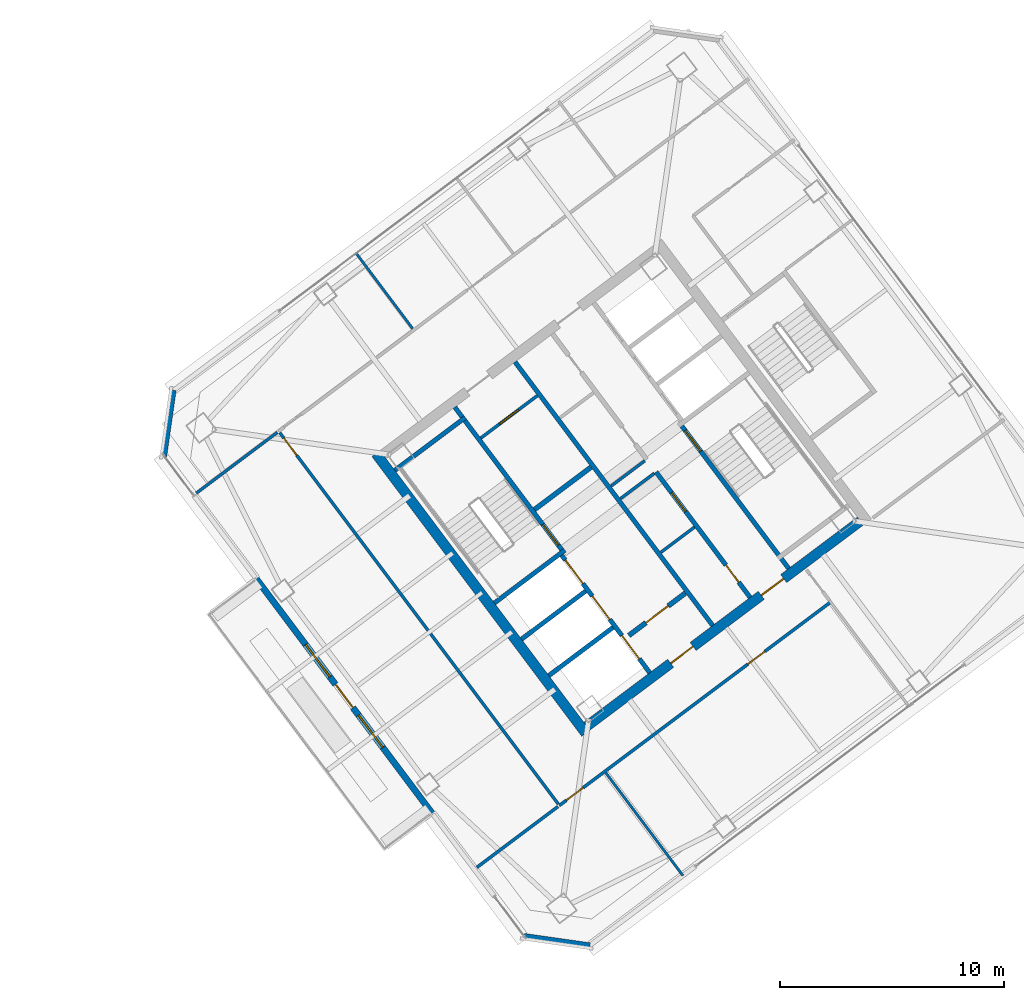
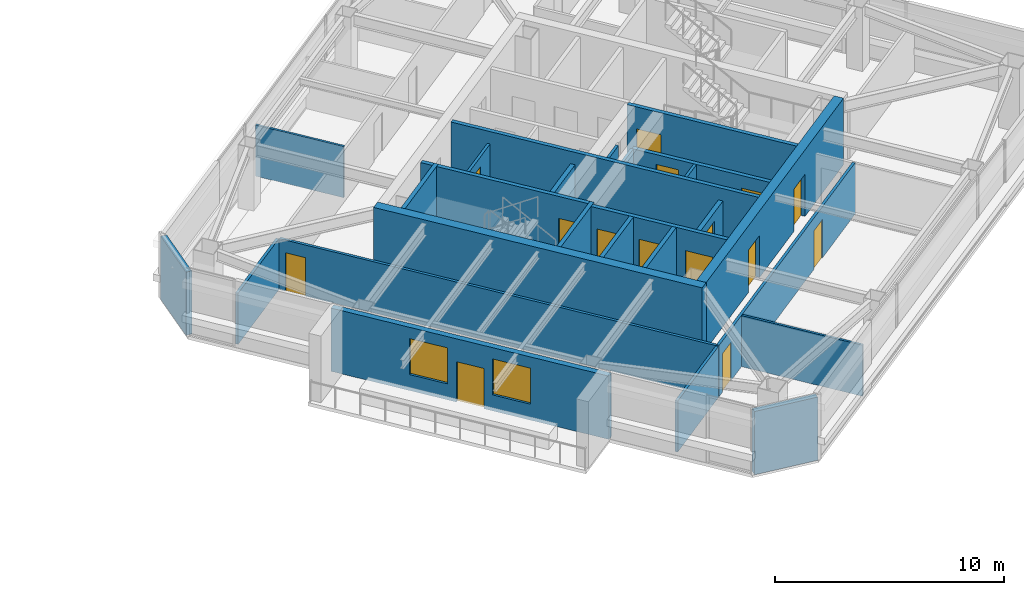
# One storey, part 31 of 40: 26 walls, 15 doors, 2 windows, 17 openings.
"""IFC4 building model written with IfcOpenShell, lengths in metres."""

from ifc_helpers import new_model, si_unit, direction, frame, frame_2d, origin, place, context, subcontext, project, spatial, rectangle, extrude, material, layer, layer_set, type_object, element, fill, save


model = new_model("IFC4")

# Units and contexts
model_context = context("Model", 3, precision=1e-05, world=origin(), true_north=direction((0.0, 1.0)))
body_context = subcontext(model_context, "Body", "Model", "MODEL_VIEW")
ifc_project = project(units=[si_unit("LENGTHUNIT", "METRE"), si_unit("AREAUNIT", "SQUARE_METRE"), si_unit("VOLUMEUNIT", "CUBIC_METRE"), si_unit("PLANEANGLEUNIT", "RADIAN"), si_unit("MASSUNIT", "GRAM", prefix="KILO")], contexts=[model_context])

# Site, building, storey
site_placement = place(None, origin())
site = spatial("IfcSite", under=ifc_project, at=site_placement, CompositionType="ELEMENT")
building_placement = place(site_placement, origin())
building = spatial("IfcBuilding", under=site, at=building_placement, Name="Tashvorn Skyway Center", CompositionType="ELEMENT")
storey_placement = place(building_placement, frame((0.0, 0.0, 221.949951171875)))
storey = spatial("IfcBuildingStorey", under=building, at=storey_placement, Name="L60", CompositionType="ELEMENT", Elevation=221.949951171875)

# Wall
ifc_material_1 = material(Name="Concrete C50/60", Category="concrete")
ifc_layer_1 = layer(ifc_material_1, 0.449951171875)
ifc_layer_set_1 = layer_set([ifc_layer_1], Name="Concrete C50/60")
wall_type_1 = type_object("IfcWallType", Name="WALL-CORE-450", PredefinedType="SHEAR", material=ifc_layer_set_1)
wall_1_placement = place(storey_placement, frame((112.39599609375, 21.047119140625, 0.0), z_axis=(0.0, 0.0, 1.0), x_axis=(-0.600005007985, 0.799996243986, 0.0)))
element("IfcWall", 1, at=wall_1_placement, inside=storey, type_object=wall_type_1, Name="Tower 2 L60 West Core Shear Wall", PredefinedType="SHEAR", context=body_context, shape_type="SweptSolid", body=[
    extrude(rectangle(XDim=15.60009765625, YDim=0.449951171875, at=frame_2d((7.800048828125, 0.0))), origin(), (0.0, 0.0, 1.0), 3.550048828125),
])

# Wall, openings, doors
wall_2_placement = place(storey_placement, frame((124.64892578125, 30.51806640625, 0.0), z_axis=(0.0, 0.0, 1.0), x_axis=(-0.8, -0.6, 0.0)))
wall_2 = element("IfcWall", 2, at=wall_2_placement, inside=storey, type_object=wall_type_1, Name="Tower 2 L60 South Core Shear Wall", PredefinedType="SHEAR", context=body_context, shape_type="SweptSolid", body=[
    extrude(rectangle(XDim=15.260009765625, YDim=0.449951171875, at=frame_2d((7.6298828125, 0.0))), origin(), (0.0, 0.0, 1.0), 3.550048828125),
])
opening_1_placement = place(wall_2_placement, frame((9.330078125, 0.0, 0.0)))
opening_1 = element("IfcOpeningElement", 3, at=opening_1_placement, cuts=wall_2, Name="Opening D-FFL-1250", PredefinedType="OPENING", context=body_context, shape_type="SweptSolid", body=[
    extrude(rectangle(XDim=1.25, YDim=2.25, at=frame_2d((0.625, 1.125))), frame((0.0, 0.23486328125, 0.0), z_axis=(0.0, -1.0, 0.0), x_axis=(1.0, 0.0, 0.0)), (0.0, 0.0, 1.0), 0.469970703125),
])
opening_2_placement = place(wall_2_placement, frame((4.280029296875, 0.0, 0.0)))
opening_2 = element("IfcOpeningElement", 4, at=opening_2_placement, cuts=wall_2, Name="Opening D-FFL-1250", PredefinedType="OPENING", context=body_context, shape_type="SweptSolid", body=[
    extrude(rectangle(XDim=1.25, YDim=2.25, at=frame_2d((0.625, 1.125))), frame((0.0, 0.23486328125, 0.0), z_axis=(0.0, -1.0, 0.0), x_axis=(1.0, 0.0, 0.0)), (0.0, 0.0, 1.0), 0.469970703125),
])
ifc_material_2 = material(Name="Hollow galvanized steel fire door assembly", Category="steel")
door_type_1 = type_object("IfcDoorType", Name="DOOR-FFL-1250", OperationType="NOTDEFINED", PredefinedType="DOOR", material=ifc_material_2)
door_1_placement = place(opening_1_placement, origin())
door_1 = element("IfcDoor", 5, at=door_1_placement, inside=storey, type_object=door_type_1, Name="Tower 2 L60 Core South Firefighting Exit Door", OperationType="SINGLE_SWING_LEFT", OverallHeight=2.25, OverallWidth=1.25, PredefinedType="DOOR", context=body_context, shape_type="SweptSolid", body=[
    extrude(rectangle(XDim=1.25, YDim=2.25, at=frame_2d((0.625, 1.125))), frame((0.0, 0.02490234375, 0.0), z_axis=(0.0, -1.0, 0.0), x_axis=(1.0, 0.0, 0.0)), (0.0, 0.0, 1.0), 0.050048828125),
])
fill(opening_1, door_1)
door_2_placement = place(opening_2_placement, origin())
door_2 = element("IfcDoor", 6, at=door_2_placement, inside=storey, type_object=door_type_1, Name="Tower 2 L60 Core South Lift Lobby Door", OperationType="SINGLE_SWING_RIGHT", OverallHeight=2.25, OverallWidth=1.25, PredefinedType="DOOR", context=body_context, shape_type="SweptSolid", body=[
    extrude(rectangle(XDim=1.25, YDim=2.25, at=frame_2d((0.625, 1.125))), frame((0.0, 0.02490234375, 0.0), z_axis=(0.0, -1.0, 0.0), x_axis=(1.0, 0.0, 0.0)), (0.0, 0.0, 1.0), 0.050048828125),
])
fill(opening_2, door_2)

# Wall, openings, door, windows
ifc_material_3 = material(Name="Precast concrete C40/50", Category="concrete")
ifc_layer_2 = layer(ifc_material_3, 0.280029296875)
ifc_layer_set_2 = layer_set([ifc_layer_2], Name="Precast concrete C40/50")
wall_type_2 = type_object("IfcWallType", Name="WALL-EXT-280", PredefinedType="SOLIDWALL", material=ifc_layer_set_2)
wall_3_placement = place(storey_placement, frame((105.575927734375, 17.431884765625, 0.0), z_axis=(0.0, 0.0, 1.0), x_axis=(-0.599994081423, 0.800004438899, 0.0)))
wall_3 = element("IfcWall", 7, at=wall_3_placement, inside=storey, type_object=wall_type_2, Name="Tower 2 L60 West Sky Garden Loggia Wall", PredefinedType="SOLIDWALL", context=body_context, shape_type="SweptSolid", body=[
    extrude(rectangle(XDim=13.199951171875, YDim=0.280029296875, at=frame_2d((6.60009765625, 0.0))), origin(), (0.0, 0.0, 1.0), 3.3701171875),
])
opening_3_placement = place(wall_3_placement, frame((5.949951171875, 0.0, 0.0)))
opening_3 = element("IfcOpeningElement", 8, at=opening_3_placement, cuts=wall_3, Name="Opening D-TER-1300", PredefinedType="OPENING", context=body_context, shape_type="SweptSolid", body=[
    extrude(rectangle(XDim=1.300048828125, YDim=2.14990234375, at=frame_2d((0.64990234375, 1.074951171875))), frame((0.0, 0.14990234375, 0.0), z_axis=(0.0, -1.0, 0.0), x_axis=(1.0, 0.0, 0.0)), (0.0, 0.0, 1.0), 0.300048828125),
])
opening_4_placement = place(wall_3_placement, frame((3.73193359375, 0.0, 0.85009765625)))
opening_4 = element("IfcOpeningElement", 9, at=opening_4_placement, cuts=wall_3, Name="Opening WIN-1800", PredefinedType="OPENING", context=body_context, shape_type="SweptSolid", body=[
    extrude(rectangle(XDim=1.800048828125, YDim=1.919921875, at=frame_2d((0.89990234375, 0.9599609375))), frame((0.0, 0.14990234375, 0.0), z_axis=(0.0, -1.0, 0.0), x_axis=(1.0, 0.0, 0.0)), (0.0, 0.0, 1.0), 0.300048828125),
])
opening_5_placement = place(wall_3_placement, frame((7.66796875, 0.0, 0.85009765625)))
opening_5 = element("IfcOpeningElement", 10, at=opening_5_placement, cuts=wall_3, Name="Opening WIN-1800", PredefinedType="OPENING", context=body_context, shape_type="SweptSolid", body=[
    extrude(rectangle(XDim=1.800048828125, YDim=1.919921875, at=frame_2d((0.89990234375, 0.9599609375))), frame((0.0, 0.14990234375, 0.0), z_axis=(0.0, -1.0, 0.0), x_axis=(1.0, 0.0, 0.0)), (0.0, 0.0, 1.0), 0.300048828125),
])
ifc_material_4 = material(Name="Thermally broken bronze-anodized aluminium 6063-T6", Category="aluminium")
door_type_2 = type_object("IfcDoorType", Name="DOOR-TERR-1300", OperationType="NOTDEFINED", PredefinedType="DOOR", material=ifc_material_4)
door_3_placement = place(opening_3_placement, origin())
door_3 = element("IfcDoor", 11, at=door_3_placement, inside=storey, type_object=door_type_2, Name="Tower 2 L60 Sky Garden Access Door", OperationType="SINGLE_SWING_LEFT", OverallHeight=2.14990234375, OverallWidth=1.300048828125, PredefinedType="DOOR", context=body_context, shape_type="SweptSolid", body=[
    extrude(rectangle(XDim=1.300048828125, YDim=2.14990234375, at=frame_2d((0.64990234375, 1.074951171875))), frame((0.0, 0.02490234375, 0.0), z_axis=(0.0, -1.0, 0.0), x_axis=(1.0, 0.0, 0.0)), (0.0, 0.0, 1.0), 0.050048828125),
])
fill(opening_3, door_3)
ifc_material_5 = material(Name="Low-E solar-control double insulating safety glass", Category="glass")
window_type = type_object("IfcWindowType", Name="WIN-TERR-1800", PartitioningType="SINGLE_PANEL", PredefinedType="WINDOW", material=ifc_material_5)
window_1_placement = place(opening_4_placement, origin())
window_1 = element("IfcWindow", 12, at=window_1_placement, inside=storey, type_object=window_type, Name="Tower 2 L60 Sky Garden Window", OverallHeight=1.919921875, OverallWidth=1.800048828125, PartitioningType="SINGLE_PANEL", PredefinedType="WINDOW", context=body_context, shape_type="SweptSolid", body=[
    extrude(rectangle(XDim=1.800048828125, YDim=1.919921875, at=frame_2d((0.89990234375, 0.9599609375))), frame((0.0, 0.030029296875, 0.0), z_axis=(0.0, -1.0, 0.0), x_axis=(1.0, 0.0, 0.0)), (0.0, 0.0, 1.0), 0.06005859375),
])
fill(opening_4, window_1)
window_2_placement = place(opening_5_placement, origin())
window_2 = element("IfcWindow", 13, at=window_2_placement, inside=storey, type_object=window_type, Name="Tower 2 L60 Sky Garden Second Window", OverallHeight=1.919921875, OverallWidth=1.800048828125, PartitioningType="SINGLE_PANEL", PredefinedType="WINDOW", context=body_context, shape_type="SweptSolid", body=[
    extrude(rectangle(XDim=1.800048828125, YDim=1.919921875, at=frame_2d((0.89990234375, 0.9599609375))), frame((0.0, 0.030029296875, 0.0), z_axis=(0.0, -1.0, 0.0), x_axis=(1.0, 0.0, 0.0)), (0.0, 0.0, 1.0), 0.06005859375),
])
fill(opening_5, window_2)

# Walls
for number, where, z_axis, x_axis, name in (
    (14, (112.580078125, 11.56005859375, 0.0), (0.0, 0.0, 1.0), (-0.989954425158, 0.14138683146, 0.0), "Tower 2 L60 SW Precast Chamfer Wall"),
    (15, (93.56005859375, 33.419921875, 0.0), (0.0, 0.0, 1.0), (0.14138683146, 0.989954425158, 0.0), "Tower 2 L60 NW Precast Chamfer Wall"),
):
    element("IfcWall", number, at=place(storey_placement, frame(where, z_axis=z_axis, x_axis=x_axis)), inside=storey, type_object=wall_type_2, Name=name, PredefinedType="SOLIDWALL", context=body_context, shape_type="SweptSolid", body=[
        extrude(rectangle(XDim=2.969970703125, YDim=0.280029296875, at=frame_2d((1.48486328125, 0.0))), origin(), (0.0, 0.0, 1.0), 3.3701171875),
    ])
ifc_material_6 = material(Name="Concrete C40/50", Category="concrete")
ifc_layer_3 = layer(ifc_material_6, 0.219970703125)
ifc_layer_set_3 = layer_set([ifc_layer_3], Name="Concrete C40/50")
wall_type_3 = type_object("IfcWallType", Name="WALL-FFL-220", PredefinedType="SOLIDWALL", material=ifc_layer_set_3)
wall_4_placement = place(storey_placement, frame((110.10400390625, 31.028076171875, 0.0), z_axis=(0.0, 0.0, 1.0), x_axis=(0.800018601094, 0.59997519774, 0.0)))
element("IfcWall", 16, at=wall_4_placement, inside=storey, type_object=wall_type_3, Name="Tower 2 L60 Firefighting Lobby North Wall", PredefinedType="SOLIDWALL", context=body_context, shape_type="SweptSolid", body=[
    extrude(rectangle(XDim=3.14990234375, YDim=0.219970703125, at=frame_2d((1.574951171875, 0.0))), origin(), (0.0, 0.0, 1.0), 2.72314453125),
])

# Wall, opening, door
wall_5_placement = place(storey_placement, frame((114.31591796875, 25.412109375, 0.0), z_axis=(0.0, 0.0, 1.0), x_axis=(0.800018601094, 0.59997519774, 0.0)))
wall_5 = element("IfcWall", 17, at=wall_5_placement, inside=storey, type_object=wall_type_3, Name="Tower 2 L60 Firefighting Lobby South Wall", PredefinedType="SOLIDWALL", context=body_context, shape_type="SweptSolid", body=[
    extrude(rectangle(XDim=3.14990234375, YDim=0.219970703125, at=frame_2d((1.574951171875, 0.0))), origin(), (0.0, 0.0, 1.0), 2.72314453125),
])
opening_6_placement = place(wall_5_placement, frame((0.949951171875, 0.0, 0.0)))
opening_6 = element("IfcOpeningElement", 18, at=opening_6_placement, cuts=wall_5, Name="Opening D-FFL-1250", PredefinedType="OPENING", context=body_context, shape_type="SweptSolid", body=[
    extrude(rectangle(XDim=1.25, YDim=2.25, at=frame_2d((0.625, 1.125))), frame((0.0, 0.119873046875, 0.0), z_axis=(0.0, -1.0, 0.0), x_axis=(1.0, 0.0, 0.0)), (0.0, 0.0, 1.0), 0.239990234375),
])
door_4_placement = place(opening_6_placement, origin())
door_4 = element("IfcDoor", 19, at=door_4_placement, inside=storey, type_object=door_type_1, Name="Tower 2 L60 Firefighting Lobby Egress Door", OperationType="SINGLE_SWING_LEFT", OverallHeight=2.25, OverallWidth=1.25, PredefinedType="DOOR", context=body_context, shape_type="SweptSolid", body=[
    extrude(rectangle(XDim=1.25, YDim=2.25, at=frame_2d((0.625, 1.125))), frame((0.0, 0.02490234375, 0.0), z_axis=(0.0, -1.0, 0.0), x_axis=(1.0, 0.0, 0.0)), (0.0, 0.0, 1.0), 0.050048828125),
])
fill(opening_6, door_4)

# Walls
ifc_material_7 = material(Name="Gypsum board on cold-formed steel stud framing", Category="steel")
ifc_layer_4 = layer(ifc_material_7, 0.110107421875)
ifc_layer_set_4 = layer_set([ifc_layer_4], Name="Gypsum board on cold-formed steel stud framing")
wall_type_4 = type_object("IfcWallType", Name="WALL-PART-110", PredefinedType="PARTITIONING", material=ifc_layer_set_4)
wall_6_placement = place(storey_placement, frame((104.672119140625, 39.10400390625, 0.0), z_axis=(0.0, 0.0, 1.0), x_axis=(-0.59999069958, 0.80000697523, 0.0)))
element("IfcWall", 20, at=wall_6_placement, inside=storey, type_object=wall_type_4, Name="Tower 2 L60 North Suite Partition 1", PredefinedType="PARTITIONING", context=body_context, shape_type="SweptSolid", body=[
    extrude(rectangle(XDim=4.2001953125, YDim=0.110107421875, at=frame_2d((2.10009765625, 0.0))), origin(), (0.0, 0.0, 1.0), 2.72314453125),
])
wall_7_placement = place(storey_placement, frame((116.72802734375, 14.696044921875, 0.0), z_axis=(0.0, 0.0, 1.0), x_axis=(-0.6, 0.8, 0.0)))
element("IfcWall", 21, at=wall_7_placement, inside=storey, type_object=wall_type_4, Name="Tower 2 L60 South Suite Partition 1", PredefinedType="PARTITIONING", context=body_context, shape_type="SweptSolid", body=[
    extrude(rectangle(XDim=5.72998046875, YDim=0.110107421875, at=frame_2d((2.864990234375, 0.0))), origin(), (0.0, 0.0, 1.0), 2.72314453125),
])

# Wall, openings, doors
ifc_layer_5 = layer(ifc_material_7, 0.135009765625)
ifc_layer_set_5 = layer_set([ifc_layer_5], Name="Gypsum board on cold-formed steel stud framing")
wall_type_5 = type_object("IfcWallType", Name="WALL-PART-135", PredefinedType="PARTITIONING", material=ifc_layer_set_5)
wall_8_placement = place(storey_placement, frame((123.322021484375, 26.904052734375, 0.0), z_axis=(0.0, 0.0, 1.0), x_axis=(-0.799996127317, -0.600005163543, 0.0)))
wall_8 = element("IfcWall", 22, at=wall_8_placement, inside=storey, type_object=wall_type_5, Name="Tower 2 L60 South Suite Wall", PredefinedType="PARTITIONING", context=body_context, shape_type="SweptSolid", body=[
    extrude(rectangle(XDim=15.130126953125, YDim=0.135009765625, at=frame_2d((7.56494140625, 0.0))), origin(), (0.0, 0.0, 1.0), 2.72314453125),
])
opening_7_placement = place(wall_8_placement, frame((13.800048828125, 0.0, 0.0)))
opening_7 = element("IfcOpeningElement", 23, at=opening_7_placement, cuts=wall_8, Name="Opening D-INT-950", PredefinedType="OPENING", context=body_context, shape_type="SweptSolid", body=[
    extrude(rectangle(XDim=0.949951171875, YDim=2.050048828125, at=frame_2d((0.47509765625, 1.02490234375))), frame((0.0, 0.077392578125, 0.0), z_axis=(0.0, -1.0, 0.0), x_axis=(1.0, 0.0, 0.0)), (0.0, 0.0, 1.0), 0.155029296875),
])
opening_8_placement = place(wall_8_placement, frame((3.67236328125, 0.0, 0.0)))
opening_8 = element("IfcOpeningElement", 24, at=opening_8_placement, cuts=wall_8, Name="Opening D-INT-950", PredefinedType="OPENING", context=body_context, shape_type="SweptSolid", body=[
    extrude(rectangle(XDim=0.949951171875, YDim=2.050048828125, at=frame_2d((0.47509765625, 1.02490234375))), frame((0.0, 0.077392578125, 0.0), z_axis=(0.0, -1.0, 0.0), x_axis=(1.0, 0.0, 0.0)), (0.0, 0.0, 1.0), 0.155029296875),
])
ifc_material_8 = material(Name="Solid-core architectural oak veneer door")
door_type_3 = type_object("IfcDoorType", Name="DOOR-INT-950", OperationType="NOTDEFINED", PredefinedType="DOOR", material=ifc_material_8)
door_5_placement = place(opening_7_placement, origin())
door_5 = element("IfcDoor", 25, at=door_5_placement, inside=storey, type_object=door_type_3, Name="Tower 2 L60 Research Library Door", OperationType="SINGLE_SWING_RIGHT", OverallHeight=2.050048828125, OverallWidth=0.949951171875, PredefinedType="DOOR", context=body_context, shape_type="SweptSolid", body=[
    extrude(rectangle(XDim=0.949951171875, YDim=2.050048828125, at=frame_2d((0.47509765625, 1.02490234375))), frame((0.0, 0.02490234375, 0.0), z_axis=(0.0, -1.0, 0.0), x_axis=(1.0, 0.0, 0.0)), (0.0, 0.0, 1.0), 0.050048828125),
])
fill(opening_7, door_5)
door_6_placement = place(opening_8_placement, origin())
door_6 = element("IfcDoor", 26, at=door_6_placement, inside=storey, type_object=door_type_3, Name="Tower 2 L60 Security Control Room Door", OperationType="SINGLE_SWING_LEFT", OverallHeight=2.050048828125, OverallWidth=0.949951171875, PredefinedType="DOOR", context=body_context, shape_type="SweptSolid", body=[
    extrude(rectangle(XDim=0.949951171875, YDim=2.050048828125, at=frame_2d((0.47509765625, 1.02490234375))), frame((0.0, 0.02490234375, 0.0), z_axis=(0.0, -1.0, 0.0), x_axis=(1.0, 0.0, 0.0)), (0.0, 0.0, 1.0), 0.050048828125),
])
fill(opening_8, door_6)

# Wall, opening, door
wall_9_placement = place(storey_placement, frame((111.169921875, 17.889892578125, 0.0), z_axis=(0.0, 0.0, 1.0), x_axis=(-0.599998113842, 0.800001414615, 0.0)))
wall_9 = element("IfcWall", 27, at=wall_9_placement, inside=storey, type_object=wall_type_5, Name="Tower 2 L60 West Inner Suite Wall", PredefinedType="PARTITIONING", context=body_context, shape_type="SweptSolid", body=[
    extrude(rectangle(XDim=20.710205078125, YDim=0.135009765625, at=frame_2d((10.35498046875, 0.0))), origin(), (0.0, 0.0, 1.0), 2.72314453125),
])
opening_9_placement = place(wall_9_placement, frame((19.4599609375, 0.0, 0.0)))
opening_9 = element("IfcOpeningElement", 28, at=opening_9_placement, cuts=wall_9, Name="Opening D-INT-950", PredefinedType="OPENING", context=body_context, shape_type="SweptSolid", body=[
    extrude(rectangle(XDim=0.949951171875, YDim=2.050048828125, at=frame_2d((0.47509765625, 1.02490234375))), frame((0.0, 0.077392578125, 0.0), z_axis=(0.0, -1.0, 0.0), x_axis=(1.0, 0.0, 0.0)), (0.0, 0.0, 1.0), 0.155029296875),
])
door_7_placement = place(opening_9_placement, origin())
door_7 = element("IfcDoor", 29, at=door_7_placement, inside=storey, type_object=door_type_3, Name="Tower 2 L60 Public Restroom Door", OperationType="SINGLE_SWING_LEFT", OverallHeight=2.050048828125, OverallWidth=0.949951171875, PredefinedType="DOOR", context=body_context, shape_type="SweptSolid", body=[
    extrude(rectangle(XDim=0.949951171875, YDim=2.050048828125, at=frame_2d((0.47509765625, 1.02490234375))), frame((0.0, 0.02490234375, 0.0), z_axis=(0.0, -1.0, 0.0), x_axis=(1.0, 0.0, 0.0)), (0.0, 0.0, 1.0), 0.050048828125),
])
fill(opening_9, door_7)

# Walls
for number, where, z_axis, x_axis, name in (
    (30, (98.632080078125, 34.47412109375, 0.0), (0.0, 0.0, 1.0), (-0.799980555045, -0.600025925731, 0.0), "Tower 2 L60 West Suite North Wall"),
    (31, (107.5380859375, 15.06591796875, 0.0), (0.0, 0.0, 1.0), (0.799980555045, 0.600025925731, 0.0), "Tower 2 L60 West Suite South Wall"),
):
    element("IfcWall", number, at=place(storey_placement, frame(where, z_axis=z_axis, x_axis=x_axis)), inside=storey, type_object=wall_type_5, Name=name, PredefinedType="PARTITIONING", context=body_context, shape_type="SweptSolid", body=[
        extrude(rectangle(XDim=4.52001953125, YDim=0.135009765625, at=frame_2d((2.260009765625, 0.0))), origin(), (0.0, 0.0, 1.0), 2.72314453125),
    ])

# Wall, opening, door
ifc_layer_6 = layer(ifc_material_7, 0.135009765625)
ifc_layer_set_6 = layer_set([ifc_layer_6], Name="Gypsum board on cold-formed steel stud framing")
wall_type_6 = type_object("IfcWallType", Name="WALL-RATED-135", PredefinedType="PARTITIONING", material=ifc_layer_set_6)
wall_10_placement = place(storey_placement, frame((107.7099609375, 34.219970703125, 0.0), z_axis=(0.0, 0.0, 1.0), x_axis=(0.799981399002, 0.60002480053, 0.0)))
wall_10 = element("IfcWall", 32, at=wall_10_placement, inside=storey, type_object=wall_type_6, Name="Tower 2 L60 Core Service Lobby Wall", PredefinedType="PARTITIONING", context=body_context, shape_type="SweptSolid", body=[
    extrude(rectangle(XDim=3.150146484375, YDim=0.135009765625, at=frame_2d((1.5751953125, 0.0))), origin(), (0.0, 0.0, 1.0), 2.72314453125),
])
opening_10_placement = place(wall_10_placement, frame((1.050048828125, 0.0, 0.0)))
opening_10 = element("IfcOpeningElement", 33, at=opening_10_placement, cuts=wall_10, Name="Opening D-RT-1050", PredefinedType="OPENING", context=body_context, shape_type="SweptSolid", body=[
    extrude(rectangle(XDim=1.050048828125, YDim=2.199951171875, at=frame_2d((0.52490234375, 1.10009765625))), frame((0.0, 0.077392578125, 0.0), z_axis=(0.0, -1.0, 0.0), x_axis=(1.0, 0.0, 0.0)), (0.0, 0.0, 1.0), 0.155029296875),
])
door_type_4 = type_object("IfcDoorType", Name="DOOR-RATED-1050", OperationType="NOTDEFINED", PredefinedType="DOOR", material=ifc_material_2)
door_8_placement = place(opening_10_placement, origin())
door_8 = element("IfcDoor", 34, at=door_8_placement, inside=storey, type_object=door_type_4, Name="Tower 2 L60 Core Accessible WC Door", OperationType="SINGLE_SWING_LEFT", OverallHeight=2.199951171875, OverallWidth=1.050048828125, PredefinedType="DOOR", context=body_context, shape_type="SweptSolid", body=[
    extrude(rectangle(XDim=1.050048828125, YDim=2.199951171875, at=frame_2d((0.52490234375, 1.10009765625))), frame((0.0, 0.02490234375, 0.0), z_axis=(0.0, -1.0, 0.0), x_axis=(1.0, 0.0, 0.0)), (0.0, 0.0, 1.0), 0.050048828125),
])
fill(opening_10, door_8)

# Walls
for number, where, z_axis, x_axis, name in (
    (35, (113.946044921875, 31.52197265625, 0.0), (0.0, 0.0, 1.0), (0.8, 0.6, 0.0), "Tower 2 L60 Core Room Partition"),
    (36, (115.74609375, 29.1220703125, 0.0), (0.0, 0.0, 1.0), (0.8, 0.6, 0.0), "Tower 2 L60 Freed Core Partition"),
):
    element("IfcWall", number, at=place(storey_placement, frame(where, z_axis=z_axis, x_axis=x_axis)), inside=storey, type_object=wall_type_6, Name=name, PredefinedType="PARTITIONING", context=body_context, shape_type="SweptSolid", body=[
        extrude(rectangle(XDim=1.8798828125, YDim=0.135009765625, at=frame_2d((0.93994140625, 0.0))), origin(), (0.0, 0.0, 1.0), 2.72314453125),
    ])
wall_11_placement = place(storey_placement, frame((113.52587890625, 32.08203125, 0.0), z_axis=(0.0, 0.0, 1.0), x_axis=(0.800046745961, 0.599937666993, 0.0)))
element("IfcWall", 37, at=wall_11_placement, inside=storey, type_object=wall_type_6, Name="Tower 2 L60 Core Room Partition", PredefinedType="PARTITIONING", context=body_context, shape_type="SweptSolid", body=[
    extrude(rectangle(XDim=1.880126953125, YDim=0.135009765625, at=frame_2d((0.93994140625, 0.0))), origin(), (0.0, 0.0, 1.0), 2.72314453125),
])
ifc_layer_7 = layer(ifc_material_6, 0.199951171875)
ifc_layer_set_7 = layer_set([ifc_layer_7], Name="Concrete C40/50")
wall_type_7 = type_object("IfcWallType", Name="WALL-SHAFT-200", PredefinedType="SOLIDWALL", material=ifc_layer_set_7)
for number, where, z_axis, x_axis, name in (
    (38, (110.74609375, 23.6220703125, 0.0), (0.0, 0.0, 1.0), (0.800008183455, 0.599989088572, 0.0), "Tower 2 L60 FSAE Shaft Divider"),
    (39, (109.528076171875, 25.24609375, 0.0), (0.0, 0.0, 1.0), (0.800008183455, 0.599989088572, 0.0), "Tower 2 L60 FSAE Shaft Divider"),
):
    element("IfcWall", number, at=place(storey_placement, frame(where, z_axis=z_axis, x_axis=x_axis)), inside=storey, type_object=wall_type_7, Name=name, PredefinedType="SOLIDWALL", context=body_context, shape_type="SweptSolid", body=[
        extrude(rectangle(XDim=3.580078125, YDim=0.199951171875, at=frame_2d((1.7900390625, 0.0))), origin(), (0.0, 0.0, 1.0), 3.3701171875),
    ])

# Wall, openings, doors
wall_12_placement = place(storey_placement, frame((119.72998046875, 27.110107421875, 0.0), z_axis=(0.0, 0.0, 1.0), x_axis=(-0.600005580459, 0.799995814625, 0.0)))
wall_12 = element("IfcWall", 40, at=wall_12_placement, inside=storey, type_object=wall_type_7, Name="Tower 2 L60 Low-Rise Core Wall", PredefinedType="SOLIDWALL", context=body_context, shape_type="SweptSolid", body=[
    extrude(rectangle(XDim=6.999755859375, YDim=0.199951171875, at=frame_2d((3.5, 0.0))), origin(), (0.0, 0.0, 1.0), 2.72314453125),
])
opening_11_placement = place(wall_12_placement, frame((0.85009765625, 0.0, 0.0)))
opening_11 = element("IfcOpeningElement", 41, at=opening_11_placement, cuts=wall_12, Name="Opening D-RT-950", PredefinedType="OPENING", context=body_context, shape_type="SweptSolid", body=[
    extrude(rectangle(XDim=0.949951171875, YDim=2.050048828125, at=frame_2d((0.47509765625, 1.02490234375))), frame((0.0, 0.10986328125, 0.0), z_axis=(0.0, -1.0, 0.0), x_axis=(1.0, 0.0, 0.0)), (0.0, 0.0, 1.0), 0.219970703125),
])
opening_12_placement = place(wall_12_placement, frame((4.800048828125, 0.0, 0.0)))
opening_12 = element("IfcOpeningElement", 42, at=opening_12_placement, cuts=wall_12, Name="Opening D-RT-1050", PredefinedType="OPENING", context=body_context, shape_type="SweptSolid", body=[
    extrude(rectangle(XDim=1.050048828125, YDim=2.199951171875, at=frame_2d((0.52490234375, 1.10009765625))), frame((0.0, 0.10986328125, 0.0), z_axis=(0.0, -1.0, 0.0), x_axis=(1.0, 0.0, 0.0)), (0.0, 0.0, 1.0), 0.219970703125),
])
door_9_placement = place(opening_12_placement, origin())
door_9 = element("IfcDoor", 43, at=door_9_placement, inside=storey, type_object=door_type_4, Name="Tower 2 L60 Freed Core Room Door", OperationType="SINGLE_SWING_RIGHT", OverallHeight=2.199951171875, OverallWidth=1.050048828125, PredefinedType="DOOR", context=body_context, shape_type="SweptSolid", body=[
    extrude(rectangle(XDim=1.050048828125, YDim=2.199951171875, at=frame_2d((0.52490234375, 1.10009765625))), frame((0.0, 0.02490234375, 0.0), z_axis=(0.0, -1.0, 0.0), x_axis=(1.0, 0.0, 0.0)), (0.0, 0.0, 1.0), 0.050048828125),
])
fill(opening_12, door_9)
door_type_5 = type_object("IfcDoorType", Name="DOOR-RATED-950", OperationType="NOTDEFINED", PredefinedType="DOOR", material=ifc_material_2)
door_10_placement = place(opening_11_placement, origin())
door_10 = element("IfcDoor", 44, at=door_10_placement, inside=storey, type_object=door_type_5, Name="Tower 2 L60 Core Print Room Door", OperationType="SINGLE_SWING_LEFT", OverallHeight=2.050048828125, OverallWidth=0.949951171875, PredefinedType="DOOR", context=body_context, shape_type="SweptSolid", body=[
    extrude(rectangle(XDim=0.949951171875, YDim=2.050048828125, at=frame_2d((0.47509765625, 1.02490234375))), frame((0.0, 0.02490234375, 0.0), z_axis=(0.0, -1.0, 0.0), x_axis=(1.0, 0.0, 0.0)), (0.0, 0.0, 1.0), 0.050048828125),
])
fill(opening_11, door_10)

# Wall, opening, door
ifc_layer_8 = layer(ifc_material_6, 0.199951171875)
ifc_layer_set_8 = layer_set([ifc_layer_8], Name="Concrete C40/50")
wall_type_8 = type_object("IfcWallType", Name="WALL-STSHF-200", PredefinedType="SHEAR", material=ifc_layer_set_8)
wall_13_placement = place(storey_placement, frame((111.43994140625, 29.080078125, 0.0), z_axis=(0.0, 0.0, 1.0), x_axis=(-0.59999041401, 0.800007189403, 0.0)))
wall_13 = element("IfcWall", 45, at=wall_13_placement, inside=storey, type_object=wall_type_8, Name="Tower 2 L60 Stair 1 Enclosure Wall", PredefinedType="SHEAR", context=body_context, shape_type="SweptSolid", body=[
    extrude(rectangle(XDim=8.14990234375, YDim=0.199951171875, at=frame_2d((4.074951171875, 0.0))), origin(), (0.0, 0.0, 1.0), 3.3701171875),
])
opening_13_placement = place(wall_13_placement, frame((0.449951171875, 0.0, 0.0)))
opening_13 = element("IfcOpeningElement", 46, at=opening_13_placement, cuts=wall_13, Name="Opening D-ST-1150", PredefinedType="OPENING", context=body_context, shape_type="SweptSolid", body=[
    extrude(rectangle(XDim=1.14990234375, YDim=2.199951171875, at=frame_2d((0.574951171875, 1.10009765625))), frame((0.0, 0.10986328125, 0.0), z_axis=(0.0, -1.0, 0.0), x_axis=(1.0, 0.0, 0.0)), (0.0, 0.0, 1.0), 0.219970703125),
])
door_type_6 = type_object("IfcDoorType", Name="DOOR-STAIR-1150", OperationType="NOTDEFINED", PredefinedType="DOOR", material=ifc_material_2)
door_11_placement = place(opening_13_placement, origin())
door_11 = element("IfcDoor", 47, at=door_11_placement, inside=storey, type_object=door_type_6, Name="Tower 2 L60 Exit Stair 1 Door", OperationType="SINGLE_SWING_RIGHT", OverallHeight=2.199951171875, OverallWidth=1.14990234375, PredefinedType="DOOR", context=body_context, shape_type="SweptSolid", body=[
    extrude(rectangle(XDim=1.14990234375, YDim=2.199951171875, at=frame_2d((0.574951171875, 1.10009765625))), frame((0.0, 0.02490234375, 0.0), z_axis=(0.0, -1.0, 0.0), x_axis=(1.0, 0.0, 0.0)), (0.0, 0.0, 1.0), 0.050048828125),
])
fill(opening_13, door_11)

# Walls
for number, where, z_axis, x_axis, name in (
    (48, (108.31591796875, 26.862060546875, 0.0), (0.0, 0.0, 1.0), (0.800014909178, 0.599980120581, 0.0), "Tower 2 L60 Stair 1 South Wall"),
    (49, (103.8759765625, 32.781982421875, 0.0), (0.0, 0.0, 1.0), (0.800014909178, 0.599980120581, 0.0), "Tower 2 L60 Stair 1 North Wall"),
):
    element("IfcWall", number, at=place(storey_placement, frame(where, z_axis=z_axis, x_axis=x_axis)), inside=storey, type_object=wall_type_8, Name=name, PredefinedType="SHEAR", context=body_context, shape_type="SweptSolid", body=[
        extrude(rectangle(XDim=3.929931640625, YDim=0.199951171875, at=frame_2d((1.96484375, 0.0))), origin(), (0.0, 0.0, 1.0), 3.3701171875),
    ])

# Wall, opening, door
wall_14_placement = place(storey_placement, frame((116.56005859375, 34.919921875, 0.0), z_axis=(0.0, 0.0, 1.0), x_axis=(0.59999041401, -0.800007189403, 0.0)))
wall_14 = element("IfcWall", 50, at=wall_14_placement, inside=storey, type_object=wall_type_8, Name="Tower 2 L60 Stair 2 Enclosure Wall", PredefinedType="SHEAR", context=body_context, shape_type="SweptSolid", body=[
    extrude(rectangle(XDim=8.14990234375, YDim=0.199951171875, at=frame_2d((4.074951171875, 0.0))), origin(), (0.0, 0.0, 1.0), 3.3701171875),
])
opening_14_placement = place(wall_14_placement, frame((0.449951171875, 0.0, 0.0)))
opening_14 = element("IfcOpeningElement", 51, at=opening_14_placement, cuts=wall_14, Name="Opening D-ST-1150", PredefinedType="OPENING", context=body_context, shape_type="SweptSolid", body=[
    extrude(rectangle(XDim=1.14990234375, YDim=2.199951171875, at=frame_2d((0.574951171875, 1.10009765625))), frame((0.0, 0.10986328125, 0.0), z_axis=(0.0, -1.0, 0.0), x_axis=(1.0, 0.0, 0.0)), (0.0, 0.0, 1.0), 0.219970703125),
])
door_12_placement = place(opening_14_placement, origin())
door_12 = element("IfcDoor", 52, at=door_12_placement, inside=storey, type_object=door_type_6, Name="Tower 2 L60 Exit Stair 2 Door", OperationType="SINGLE_SWING_RIGHT", OverallHeight=2.199951171875, OverallWidth=1.14990234375, PredefinedType="DOOR", context=body_context, shape_type="SweptSolid", body=[
    extrude(rectangle(XDim=1.14990234375, YDim=2.199951171875, at=frame_2d((0.574951171875, 1.10009765625))), frame((0.0, 0.02490234375, 0.0), z_axis=(0.0, -1.0, 0.0), x_axis=(1.0, 0.0, 0.0)), (0.0, 0.0, 1.0), 0.050048828125),
])
fill(opening_14, door_12)

# Wall
wall_15_placement = place(storey_placement, frame((118.05810546875, 25.85595703125, 0.0), z_axis=(0.0, 0.0, 1.0), x_axis=(-0.600002657301, 0.799998007018, 0.0)))
element("IfcWall", 53, at=wall_15_placement, inside=storey, type_object=wall_type_8, Name="Tower 2 L60 Firefighting Lobby East Smoke Barrier", PredefinedType="SHEAR", context=body_context, shape_type="SweptSolid", body=[
    extrude(rectangle(XDim=14.699951171875, YDim=0.199951171875, at=frame_2d((7.35009765625, 0.0))), origin(), (0.0, 0.0, 1.0), 3.3701171875),
])

# Wall, openings, doors
wall_16_placement = place(storey_placement, frame((115.25, 23.75, 0.0), z_axis=(0.0, 0.0, 1.0), x_axis=(-0.599994036198, 0.800004472816, 0.0)))
wall_16 = element("IfcWall", 54, at=wall_16_placement, inside=storey, type_object=wall_type_8, Name="Tower 2 L60 FSAE and Goods Shaft Front Wall", PredefinedType="SHEAR", context=body_context, shape_type="SweptSolid", body=[
    extrude(rectangle(XDim=6.550048828125, YDim=0.199951171875, at=frame_2d((3.27490234375, 0.0))), origin(), (0.0, 0.0, 1.0), 3.3701171875),
])
opening_15_placement = place(wall_16_placement, frame((4.97509765625, 0.0, 0.0)))
opening_15 = element("IfcOpeningElement", 55, at=opening_15_placement, cuts=wall_16, Name="Opening LD-FF-T2-1-L60", PredefinedType="OPENING", context=body_context, shape_type="SweptSolid", body=[
    extrude(rectangle(XDim=1.300048828125, YDim=2.25, at=frame_2d((0.64990234375, 1.125))), frame((0.0, 0.10986328125, 0.0), z_axis=(0.0, -1.0, 0.0), x_axis=(1.0, 0.0, 0.0)), (0.0, 0.0, 1.0), 0.219970703125),
])
opening_16_placement = place(wall_16_placement, frame((2.97509765625, 0.0, 0.0)))
opening_16 = element("IfcOpeningElement", 56, at=opening_16_placement, cuts=wall_16, Name="Opening LD-FF-T2-2-L60", PredefinedType="OPENING", context=body_context, shape_type="SweptSolid", body=[
    extrude(rectangle(XDim=1.300048828125, YDim=2.25, at=frame_2d((0.64990234375, 1.125))), frame((0.0, 0.10986328125, 0.0), z_axis=(0.0, -1.0, 0.0), x_axis=(1.0, 0.0, 0.0)), (0.0, 0.0, 1.0), 0.219970703125),
])
opening_17_placement = place(wall_16_placement, frame((0.77490234375, 0.0, 0.0)))
opening_17 = element("IfcOpeningElement", 57, at=opening_17_placement, cuts=wall_16, Name="Opening LD-GD-T2-1-L60", PredefinedType="OPENING", context=body_context, shape_type="SweptSolid", body=[
    extrude(rectangle(XDim=1.300048828125, YDim=2.25, at=frame_2d((0.64990234375, 1.125))), frame((0.0, 0.10986328125, 0.0), z_axis=(0.0, -1.0, 0.0), x_axis=(1.0, 0.0, 0.0)), (0.0, 0.0, 1.0), 0.219970703125),
])
ifc_material_9 = material(Name="Stainless steel heavy-duty landing door", Category="steel")
door_type_7 = type_object("IfcDoorType", Name="DOOR-LIFT-1300", OperationType="SLIDING_TO_LEFT", PredefinedType="DOOR", material=ifc_material_9)
door_13_placement = place(opening_15_placement, origin())
door_13 = element("IfcDoor", 58, at=door_13_placement, inside=storey, type_object=door_type_7, Name="Lift FF-T2-1 L60 Landing Door", OperationType="SLIDING_TO_LEFT", OverallHeight=2.25, OverallWidth=1.300048828125, PredefinedType="DOOR", context=body_context, shape_type="SweptSolid", body=[
    extrude(rectangle(XDim=1.300048828125, YDim=2.25, at=frame_2d((0.64990234375, 1.125))), frame((0.0, 0.02490234375, 0.0), z_axis=(0.0, -1.0, 0.0), x_axis=(1.0, 0.0, 0.0)), (0.0, 0.0, 1.0), 0.050048828125),
])
fill(opening_15, door_13)
door_14_placement = place(opening_16_placement, origin())
door_14 = element("IfcDoor", 59, at=door_14_placement, inside=storey, type_object=door_type_7, Name="Lift FF-T2-2 L60 Landing Door", OperationType="SLIDING_TO_LEFT", OverallHeight=2.25, OverallWidth=1.300048828125, PredefinedType="DOOR", context=body_context, shape_type="SweptSolid", body=[
    extrude(rectangle(XDim=1.300048828125, YDim=2.25, at=frame_2d((0.64990234375, 1.125))), frame((0.0, 0.02490234375, 0.0), z_axis=(0.0, -1.0, 0.0), x_axis=(1.0, 0.0, 0.0)), (0.0, 0.0, 1.0), 0.050048828125),
])
fill(opening_16, door_14)
door_15_placement = place(opening_17_placement, origin())
door_15 = element("IfcDoor", 60, at=door_15_placement, inside=storey, type_object=door_type_7, Name="Lift GD-T2-1 L60 Landing Door", OperationType="SLIDING_TO_LEFT", OverallHeight=2.25, OverallWidth=1.300048828125, PredefinedType="DOOR", context=body_context, shape_type="SweptSolid", body=[
    extrude(rectangle(XDim=1.300048828125, YDim=2.25, at=frame_2d((0.64990234375, 1.125))), frame((0.0, 0.02490234375, 0.0), z_axis=(0.0, -1.0, 0.0), x_axis=(1.0, 0.0, 0.0)), (0.0, 0.0, 1.0), 0.050048828125),
])
fill(opening_17, door_15)

save(model, "model.ifc")
